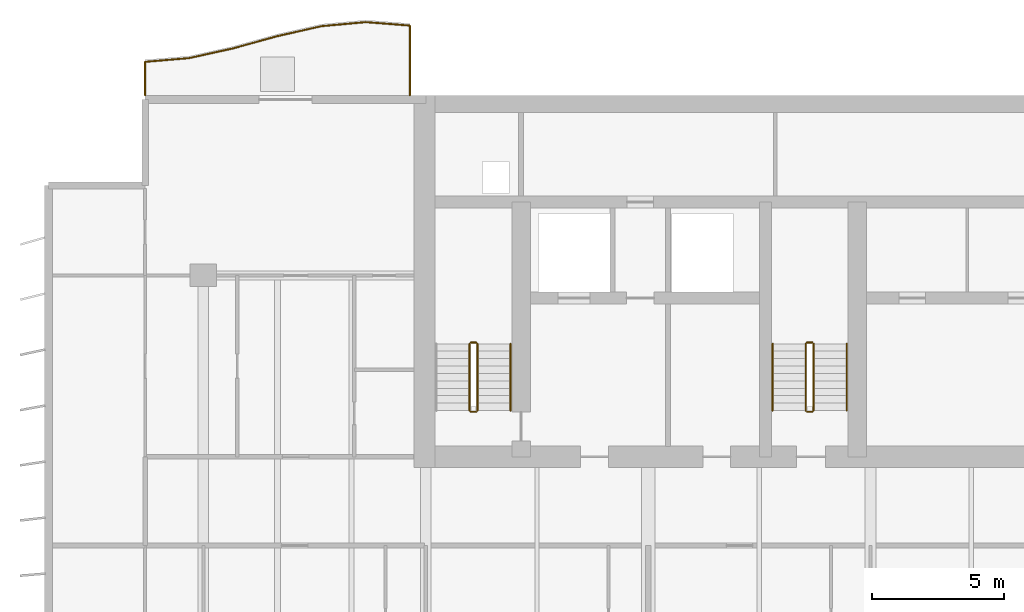
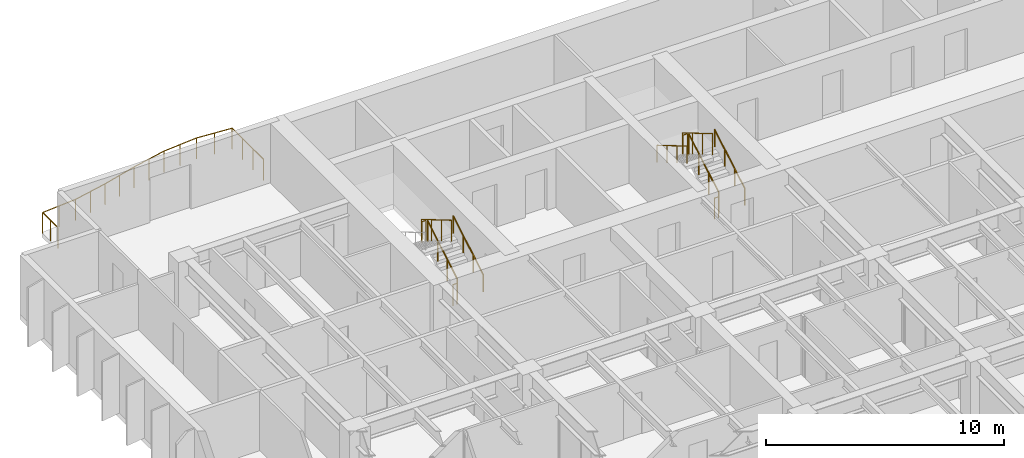
# One storey, part 18 of 20: 12 railings.
"""IFC4 building model written with IfcOpenShell, lengths in metres."""

from ifc_helpers import new_model, si_unit, direction, frame, origin, origin_2d, place, context, subcontext, project, spatial, circle, extrude, material, type_object, element, save


model = new_model("IFC4")

# Units and contexts
model_context = context("Model", 3, precision=1e-05, world=origin(), true_north=direction((0.0, 1.0)))
body_context = subcontext(model_context, "Body", "Model", "MODEL_VIEW")
ifc_project = project(units=[si_unit("LENGTHUNIT", "METRE"), si_unit("AREAUNIT", "SQUARE_METRE"), si_unit("VOLUMEUNIT", "CUBIC_METRE"), si_unit("PLANEANGLEUNIT", "RADIAN"), si_unit("MASSUNIT", "GRAM", prefix="KILO")], contexts=[model_context])

# Site, building, storey
site_placement = place(None, origin())
site = spatial("IfcSite", under=ifc_project, at=site_placement, CompositionType="ELEMENT")
building_placement = place(site_placement, origin())
building = spatial("IfcBuilding", under=site, at=building_placement, Name="Caelmar Bay Residences", CompositionType="ELEMENT")
storey_placement = place(building_placement, frame((0.0, 0.0, 119.10009765625)))
storey = spatial("IfcBuildingStorey", under=building, at=storey_placement, Name="L32", CompositionType="ELEMENT", Elevation=119.10009765625)

# Railings
ifc_material_1 = material(Name="Anodised bronze handrail with laminated hurricane glass infill", Category="glass")
railing_type_1 = type_object("IfcRailingType", Name="RL-BAL-1100", PredefinedType="BALUSTRADE", material=ifc_material_1)
railing_1_placement = place(storey_placement, frame((17.699951171875, 50.60009765625, 0.0)))
element("IfcRailing", 1, at=railing_1_placement, inside=storey, type_object=railing_type_1, Name="L32 north_west Balcony Balustrade", PredefinedType="BALUSTRADE", context=body_context, shape_type="SweptSolid", body=[
    extrude(circle(Radius=0.02392578125, at=origin_2d()), frame((0.0, 0.0, 1.076171875), z_axis=(0.0, 1.0, 0.0), x_axis=(-1.0, 0.0, 0.0)), (0.0, 0.0, 1.0), 2.6396484375),
    extrude(circle(Radius=0.02392578125, at=origin_2d()), frame((0.0, 2.6396484375, 1.076171875), z_axis=(-0.996966215155, 0.077835505006, 0.0), x_axis=(-0.077835505006, -0.996966215155, 0.0)), (0.0, 0.0, 1.0), 1.671875),
    extrude(circle(Radius=0.02392578125, at=origin_2d()), frame((-1.666748046875, 2.769775390625, 1.076171875), z_axis=(-0.995874050557, -0.090746214393, 0.0), x_axis=(0.090746214393, -0.995874050557, 0.0)), (0.0, 0.0, 1.0), 1.67333984375),
    extrude(circle(Radius=0.02392578125, at=origin_2d()), frame((-3.333251953125, 2.617919921875, 1.076171875), z_axis=(-0.975366683034, -0.220589740531, 0.0), x_axis=(0.220589740531, -0.975366683034, 0.0)), (0.0, 0.0, 1.0), 1.708740234375),
    extrude(circle(Radius=0.02392578125, at=origin_2d()), frame((-5.0, 2.240966796875, 1.076171875), z_axis=(-0.963967650546, -0.266019489326, 0.0), x_axis=(0.266019489326, -0.963967650546, 0.0)), (0.0, 0.0, 1.0), 1.72900390625),
    extrude(circle(Radius=0.02392578125, at=origin_2d()), frame((-6.666748046875, 1.781005859375, 1.076171875), z_axis=(-0.976213972961, -0.216809314827, 0.0), x_axis=(0.216809314827, -0.976213972961, 0.0)), (0.0, 0.0, 1.0), 1.70703125),
    extrude(circle(Radius=0.02392578125, at=origin_2d()), frame((-8.333251953125, 1.410888671875, 1.076171875), z_axis=(-0.996447429346, -0.084217103667, 0.0), x_axis=(0.084217103667, -0.996447429346, 0.0)), (0.0, 0.0, 1.0), 1.672607421875),
    extrude(circle(Radius=0.02392578125, at=origin_2d()), frame((-10.0, 1.27001953125, 1.076171875), z_axis=(0.0, -1.0, 0.0), x_axis=(1.0, 0.0, 0.0)), (0.0, 0.0, 1.0), 1.27001953125),
    extrude(circle(Radius=0.02099609375, at=origin_2d()), origin(), (0.0, 0.0, 1.0), 1.052001953125),
    extrude(circle(Radius=0.02099609375, at=origin_2d()), frame((0.0, 0.8798828125, 0.0)), (0.0, 0.0, 1.0), 1.052001953125),
    extrude(circle(Radius=0.02099609375, at=origin_2d()), frame((0.0, 1.759765625, 0.0)), (0.0, 0.0, 1.0), 1.052001953125),
    extrude(circle(Radius=0.02099609375, at=origin_2d()), frame((0.0, 2.6396484375, 0.0)), (0.0, 0.0, 1.0), 1.052001953125),
    extrude(circle(Radius=0.02099609375, at=origin_2d()), frame((-0.83349609375, 2.70458984375, 0.0)), (0.0, 0.0, 1.0), 1.052001953125),
    extrude(circle(Radius=0.02099609375, at=origin_2d()), frame((-1.666748046875, 2.769775390625, 0.0)), (0.0, 0.0, 1.0), 1.052001953125),
    extrude(circle(Radius=0.02099609375, at=origin_2d()), frame((-2.5, 2.69384765625, 0.0)), (0.0, 0.0, 1.0), 1.052001953125),
    extrude(circle(Radius=0.02099609375, at=origin_2d()), frame((-3.333251953125, 2.617919921875, 0.0)), (0.0, 0.0, 1.0), 1.052001953125),
    extrude(circle(Radius=0.02099609375, at=origin_2d()), frame((-4.16650390625, 2.429443359375, 0.0)), (0.0, 0.0, 1.0), 1.052001953125),
    extrude(circle(Radius=0.02099609375, at=origin_2d()), frame((-5.0, 2.240966796875, 0.0)), (0.0, 0.0, 1.0), 1.052001953125),
    extrude(circle(Radius=0.02099609375, at=origin_2d()), frame((-5.83349609375, 2.010986328125, 0.0)), (0.0, 0.0, 1.0), 1.052001953125),
    extrude(circle(Radius=0.02099609375, at=origin_2d()), frame((-6.666748046875, 1.781005859375, 0.0)), (0.0, 0.0, 1.0), 1.052001953125),
    extrude(circle(Radius=0.02099609375, at=origin_2d()), frame((-7.5, 1.595947265625, 0.0)), (0.0, 0.0, 1.0), 1.052001953125),
    extrude(circle(Radius=0.02099609375, at=origin_2d()), frame((-8.333251953125, 1.410888671875, 0.0)), (0.0, 0.0, 1.0), 1.052001953125),
    extrude(circle(Radius=0.02099609375, at=origin_2d()), frame((-9.16650390625, 1.34033203125, 0.0)), (0.0, 0.0, 1.0), 1.052001953125),
    extrude(circle(Radius=0.02099609375, at=origin_2d()), frame((-10.0, 1.27001953125, 0.0)), (0.0, 0.0, 1.0), 1.052001953125),
    extrude(circle(Radius=0.02099609375, at=origin_2d()), frame((-10.0, 0.635009765625, 0.0)), (0.0, 0.0, 1.0), 1.052001953125),
    extrude(circle(Radius=0.02099609375, at=origin_2d()), frame((-10.0, 0.0, 0.0)), (0.0, 0.0, 1.0), 1.052001953125),
])
ifc_material_2 = material(Name="Painted galvanized steel stair guard 1100 mm", Category="steel")
railing_type_2 = type_object("IfcRailingType", Name="RL-GRD-1100", PredefinedType="GUARDRAIL", material=ifc_material_2)
railing_2_placement = place(storey_placement, frame((20.25, 38.699951171875, 0.164794921875)))
element("IfcRailing", 2, at=railing_2_placement, inside=storey, type_object=railing_type_2, Name="L32 ST1 stair guard 1", PredefinedType="GUARDRAIL", context=body_context, shape_type="SweptSolid", body=[
    extrude(circle(Radius=0.02392578125, at=origin_2d()), frame((0.0, 0.0, 1.076171875), z_axis=(0.0, 0.86152411907, 0.507716645641), x_axis=(-1.0, 0.0, 0.0)), (0.0, 0.0, 1.0), 2.925048828125),
    extrude(circle(Radius=0.02099609375, at=origin_2d()), origin(), (0.0, 0.0, 1.0), 1.052001953125),
    extrude(circle(Radius=0.02099609375, at=origin_2d()), frame((0.0, 0.840087890625, 0.4951171875)), (0.0, 0.0, 1.0), 1.052001953125),
    extrude(circle(Radius=0.02099609375, at=origin_2d()), frame((0.0, 1.679931640625, 0.989990234375)), (0.0, 0.0, 1.0), 1.052001953125),
    extrude(circle(Radius=0.02099609375, at=origin_2d()), frame((0.0, 2.52001953125, 1.485107421875)), (0.0, 0.0, 1.0), 1.052001953125),
])
railing_3_placement = place(storey_placement, frame((20.199951171875, 41.27001953125, 1.64990234375)))
element("IfcRailing", 3, at=railing_3_placement, inside=storey, type_object=railing_type_2, Name="L32 ST1 stair guard 2", PredefinedType="GUARDRAIL", context=body_context, shape_type="SweptSolid", body=[
    extrude(circle(Radius=0.02392578125, at=origin_2d()), frame((0.0, 0.0, 1.076171875), z_axis=(-1.0, 0.0, 0.0), x_axis=(0.0, -1.0, 0.0)), (0.0, 0.0, 1.0), 0.199951171875),
    extrude(circle(Radius=0.02099609375, at=origin_2d()), origin(), (0.0, 0.0, 1.0), 1.052001953125),
    extrude(circle(Radius=0.02099609375, at=origin_2d()), frame((-0.199951171875, 0.0, 0.0)), (0.0, 0.0, 1.0), 1.052001953125),
])
railing_4_placement = place(storey_placement, frame((19.949951171875, 41.219970703125, 1.81494140625)))
element("IfcRailing", 4, at=railing_4_placement, inside=storey, type_object=railing_type_2, Name="L32 ST1 stair guard 3", PredefinedType="GUARDRAIL", context=body_context, shape_type="SweptSolid", body=[
    extrude(circle(Radius=0.02392578125, at=origin_2d()), frame((0.0, 0.0, 1.076171875), z_axis=(0.0, -0.861560626758, 0.507654692109), x_axis=(1.0, 0.0, 0.0)), (0.0, 0.0, 1.0), 2.925048828125),
    extrude(circle(Radius=0.02099609375, at=origin_2d()), origin(), (0.0, 0.0, 1.0), 1.052001953125),
    extrude(circle(Radius=0.02099609375, at=origin_2d()), frame((0.0, -0.840087890625, 0.494873046875)), (0.0, 0.0, 1.0), 1.052001953125),
    extrude(circle(Radius=0.02099609375, at=origin_2d()), frame((0.0, -1.679931640625, 0.989990234375)), (0.0, 0.0, 1.0), 1.052001953125),
    extrude(circle(Radius=0.02099609375, at=origin_2d()), frame((0.0, -2.52001953125, 1.48486328125)), (0.0, 0.0, 1.0), 1.052001953125),
])
railing_5_placement = place(storey_placement, frame((20.199951171875, 38.64990234375, 0.0)))
element("IfcRailing", 5, at=railing_5_placement, inside=storey, type_object=railing_type_2, Name="L32 ST1 stair guard 4", PredefinedType="GUARDRAIL", context=body_context, shape_type="SweptSolid", body=[
    extrude(circle(Radius=0.02392578125, at=origin_2d()), frame((0.0, 0.0, 1.076171875), z_axis=(-1.0, 0.0, 0.0), x_axis=(0.0, -1.0, 0.0)), (0.0, 0.0, 1.0), 0.199951171875),
    extrude(circle(Radius=0.02099609375, at=origin_2d()), origin(), (0.0, 0.0, 1.0), 1.052001953125),
    extrude(circle(Radius=0.02099609375, at=origin_2d()), frame((-0.199951171875, 0.0, 0.0)), (0.0, 0.0, 1.0), 1.052001953125),
])
railing_6_placement = place(storey_placement, frame((32.949951171875, 38.699951171875, 0.164794921875)))
element("IfcRailing", 6, at=railing_6_placement, inside=storey, type_object=railing_type_2, Name="L32 ST3 stair guard 1", PredefinedType="GUARDRAIL", context=body_context, shape_type="SweptSolid", body=[
    extrude(circle(Radius=0.02392578125, at=origin_2d()), frame((0.0, 0.0, 1.076171875), z_axis=(0.0, 0.86152411907, 0.507716645641), x_axis=(-1.0, 0.0, 0.0)), (0.0, 0.0, 1.0), 2.925048828125),
    extrude(circle(Radius=0.02099609375, at=origin_2d()), origin(), (0.0, 0.0, 1.0), 1.052001953125),
    extrude(circle(Radius=0.02099609375, at=origin_2d()), frame((0.0, 0.840087890625, 0.4951171875)), (0.0, 0.0, 1.0), 1.052001953125),
    extrude(circle(Radius=0.02099609375, at=origin_2d()), frame((0.0, 1.679931640625, 0.989990234375)), (0.0, 0.0, 1.0), 1.052001953125),
    extrude(circle(Radius=0.02099609375, at=origin_2d()), frame((0.0, 2.52001953125, 1.485107421875)), (0.0, 0.0, 1.0), 1.052001953125),
])
railing_7_placement = place(storey_placement, frame((32.89990234375, 41.27001953125, 1.64990234375)))
element("IfcRailing", 7, at=railing_7_placement, inside=storey, type_object=railing_type_2, Name="L32 ST3 stair guard 2", PredefinedType="GUARDRAIL", context=body_context, shape_type="SweptSolid", body=[
    extrude(circle(Radius=0.02392578125, at=origin_2d()), frame((0.0, 0.0, 1.076171875), z_axis=(-1.0, 0.0, 0.0), x_axis=(0.0, -1.0, 0.0)), (0.0, 0.0, 1.0), 0.199951171875),
    extrude(circle(Radius=0.02099609375, at=origin_2d()), origin(), (0.0, 0.0, 1.0), 1.052001953125),
    extrude(circle(Radius=0.02099609375, at=origin_2d()), frame((-0.199951171875, 0.0, 0.0)), (0.0, 0.0, 1.0), 1.052001953125),
])
railing_8_placement = place(storey_placement, frame((32.64990234375, 41.219970703125, 1.81494140625)))
element("IfcRailing", 8, at=railing_8_placement, inside=storey, type_object=railing_type_2, Name="L32 ST3 stair guard 3", PredefinedType="GUARDRAIL", context=body_context, shape_type="SweptSolid", body=[
    extrude(circle(Radius=0.02392578125, at=origin_2d()), frame((0.0, 0.0, 1.076171875), z_axis=(0.0, -0.861560626758, 0.507654692109), x_axis=(1.0, 0.0, 0.0)), (0.0, 0.0, 1.0), 2.925048828125),
    extrude(circle(Radius=0.02099609375, at=origin_2d()), origin(), (0.0, 0.0, 1.0), 1.052001953125),
    extrude(circle(Radius=0.02099609375, at=origin_2d()), frame((0.0, -0.840087890625, 0.494873046875)), (0.0, 0.0, 1.0), 1.052001953125),
    extrude(circle(Radius=0.02099609375, at=origin_2d()), frame((0.0, -1.679931640625, 0.989990234375)), (0.0, 0.0, 1.0), 1.052001953125),
    extrude(circle(Radius=0.02099609375, at=origin_2d()), frame((0.0, -2.52001953125, 1.48486328125)), (0.0, 0.0, 1.0), 1.052001953125),
])
railing_9_placement = place(storey_placement, frame((32.89990234375, 38.64990234375, 0.0)))
element("IfcRailing", 9, at=railing_9_placement, inside=storey, type_object=railing_type_2, Name="L32 ST3 stair guard 4", PredefinedType="GUARDRAIL", context=body_context, shape_type="SweptSolid", body=[
    extrude(circle(Radius=0.02392578125, at=origin_2d()), frame((0.0, 0.0, 1.076171875), z_axis=(-1.0, 0.0, 0.0), x_axis=(0.0, -1.0, 0.0)), (0.0, 0.0, 1.0), 0.199951171875),
    extrude(circle(Radius=0.02099609375, at=origin_2d()), origin(), (0.0, 0.0, 1.0), 1.052001953125),
    extrude(circle(Radius=0.02099609375, at=origin_2d()), frame((-0.199951171875, 0.0, 0.0)), (0.0, 0.0, 1.0), 1.052001953125),
])
ifc_material_3 = material(Name="Brushed bronze stainless-steel tubular handrail 900 mm", Category="steel")
railing_type_3 = type_object("IfcRailingType", Name="RL-HND-900", PredefinedType="HANDRAIL", material=ifc_material_3)
for number, where, name in (
    (10, (21.5, 38.699951171875, 0.164794921875), "L32 ST1 stair handrail 1"),
    (11, (34.199951171875, 38.699951171875, 0.164794921875), "L32 ST3 stair handrail 1"),
):
    element("IfcRailing", number, at=place(storey_placement, frame(where)), inside=storey, type_object=railing_type_3, Name=name, PredefinedType="HANDRAIL", context=body_context, shape_type="SweptSolid", body=[
        extrude(circle(Radius=0.02392578125, at=origin_2d()), frame((0.0, 0.0, 0.8759765625), z_axis=(0.0, 0.86152411907, 0.507716645641), x_axis=(-1.0, 0.0, 0.0)), (0.0, 0.0, 1.0), 2.925048828125),
        extrude(circle(Radius=0.02099609375, at=origin_2d()), origin(), (0.0, 0.0, 1.0), 0.851806640625),
        extrude(circle(Radius=0.02099609375, at=origin_2d()), frame((0.0, 0.840087890625, 0.4951171875)), (0.0, 0.0, 1.0), 0.851806640625),
        extrude(circle(Radius=0.02099609375, at=origin_2d()), frame((0.0, 1.679931640625, 0.989990234375)), (0.0, 0.0, 1.0), 0.851806640625),
        extrude(circle(Radius=0.02099609375, at=origin_2d()), frame((0.0, 2.52001953125, 1.485107421875)), (0.0, 0.0, 1.0), 0.851806640625),
    ])
railing_10_placement = place(storey_placement, frame((31.39990234375, 41.219970703125, 1.81494140625)))
element("IfcRailing", 12, at=railing_10_placement, inside=storey, type_object=railing_type_3, Name="L32 ST3 stair handrail 2", PredefinedType="HANDRAIL", context=body_context, shape_type="SweptSolid", body=[
    extrude(circle(Radius=0.02392578125, at=origin_2d()), frame((0.0, 0.0, 0.8759765625), z_axis=(0.0, -0.861560626758, 0.507654692109), x_axis=(1.0, 0.0, 0.0)), (0.0, 0.0, 1.0), 2.925048828125),
    extrude(circle(Radius=0.02099609375, at=origin_2d()), origin(), (0.0, 0.0, 1.0), 0.851806640625),
    extrude(circle(Radius=0.02099609375, at=origin_2d()), frame((0.0, -0.840087890625, 0.494873046875)), (0.0, 0.0, 1.0), 0.851806640625),
    extrude(circle(Radius=0.02099609375, at=origin_2d()), frame((0.0, -1.679931640625, 0.989990234375)), (0.0, 0.0, 1.0), 0.851806640625),
    extrude(circle(Radius=0.02099609375, at=origin_2d()), frame((0.0, -2.52001953125, 1.48486328125)), (0.0, 0.0, 1.0), 0.851806640625),
])

save(model, "model.ifc")
